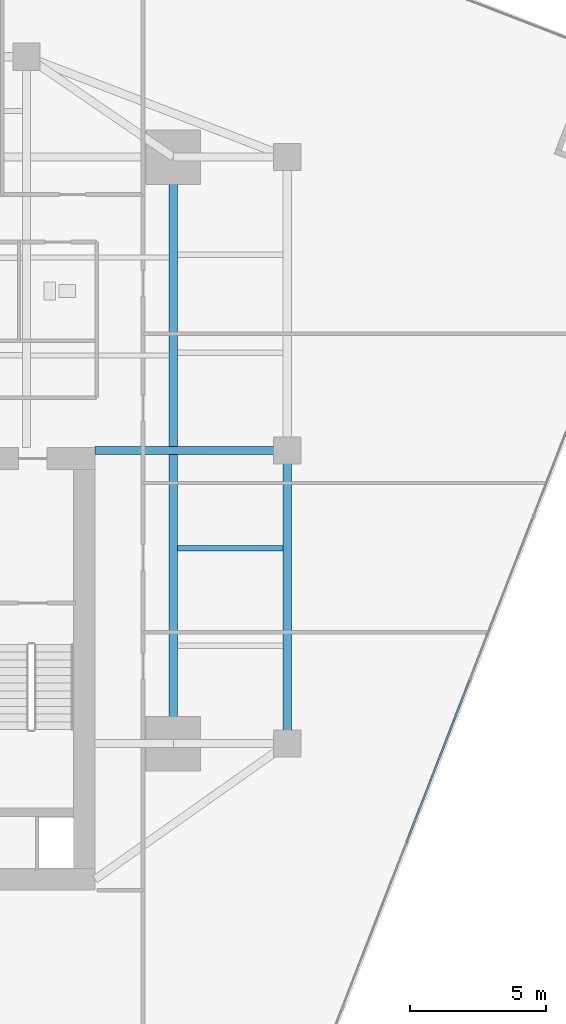
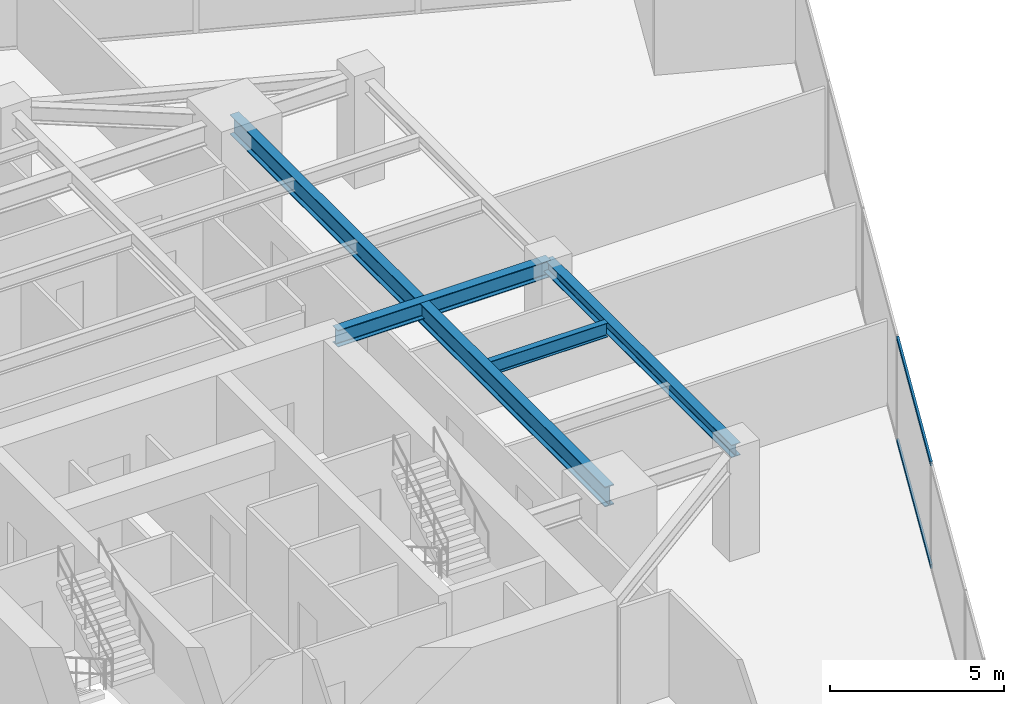
# One storey, part 11 of 26: 4 beams, 2 members, 1 element without a shape of its own.
"""IFC4 building model written with IfcOpenShell, lengths in metres."""

from ifc_helpers import new_model, si_unit, direction, frame, origin, origin_2d, place, context, subcontext, project, spatial, hollow_rectangle, i_section, extrude, source, transform, mapped, material, material_profile, profile_set, type_object, type_shapes, element, aggregate, save


model = new_model("IFC4")

# Units and contexts
model_context = context("Model", 3, precision=1e-05, world=origin(), true_north=direction((0.0, 1.0)))
body_context = subcontext(model_context, "Body", "Model", "MODEL_VIEW")
ifc_project = project(units=[si_unit("LENGTHUNIT", "METRE"), si_unit("AREAUNIT", "SQUARE_METRE"), si_unit("VOLUMEUNIT", "CUBIC_METRE"), si_unit("PLANEANGLEUNIT", "RADIAN"), si_unit("MASSUNIT", "GRAM", prefix="KILO")], contexts=[model_context])

# Site, building, storey
site_placement = place(None, origin())
site = spatial("IfcSite", under=ifc_project, at=site_placement, CompositionType="ELEMENT")
building_placement = place(site_placement, origin())
building = spatial("IfcBuilding", under=site, at=building_placement, Name="Krantzveldt Concourse Tower", CompositionType="ELEMENT")
storey_placement = place(building_placement, frame((0.0, 0.0, 133.5)))
storey = spatial("IfcBuildingStorey", under=building, at=storey_placement, Name="L32", CompositionType="ELEMENT", Elevation=133.5)

# Beams
ifc_material_1 = material(Name="Steel S355J2", Category="steel")
ifc_material_profile_1 = material_profile(ifc_material_1, i_section(OverallWidth=0.300048828125, OverallDepth=0.699951171875, WebThickness=0.01708984375, FlangeThickness=0.031982421875, FilletRadius=0.027099609375, at=origin_2d()), Name="Steel S355J2", Category="steel")
ifc_profile_set_1 = profile_set([ifc_material_profile_1], Name="Steel S355J2 - HEB 700")
beam_type_1 = type_object("IfcBeamType", Name="BM-B-HEB700", PredefinedType="BEAM", material=ifc_profile_set_1)
shared_shape_1 = source(origin(), body_context, "Body", "SweptSolid", [
    extrude(i_section(OverallWidth=0.300048828125, OverallDepth=0.699951171875, WebThickness=0.01708984375, FlangeThickness=0.031982421875, FilletRadius=0.027099609375, at=origin_2d()), origin(), (0.0, 0.0, 1.0), 21.60009765625),
])
type_shapes(beam_type_1, [shared_shape_1])
beam_1_placement = place(storey_placement, frame((46.800048828125, 15.89990234375, 3.320068359375), z_axis=(0.0, 1.0, 0.0), x_axis=(-1.0, 0.0, 0.0)))
element("IfcBeam", 1, at=beam_1_placement, inside=storey, type_object=beam_type_1, Name="L32 Tower Girder BG-ME", PredefinedType="BEAM", context=body_context, shape_type="MappedRepresentation", body=[
    mapped(shared_shape_1, transform((0.0, 0.0, 0.0), x_axis=(1.0, 0.0, 0.0), y_axis=(0.0, 1.0, 0.0), z_axis=(0.0, 0.0, 1.0), scale=1.0)),
])
ifc_material_2 = material(Name="Steel S355JR", Category="steel")
ifc_material_profile_2 = material_profile(ifc_material_2, i_section(OverallWidth=0.300048828125, OverallDepth=0.590087890625, WebThickness=0.012939453125, FlangeThickness=0.02490234375, FilletRadius=0.027099609375, at=origin_2d()), Name="Steel S355JR", Category="steel")
ifc_profile_set_2 = profile_set([ifc_material_profile_2], Name="Steel S355JR - HEA 600")
beam_type_2 = type_object("IfcBeamType", Name="BM-B-HEA600", PredefinedType="BEAM", material=ifc_profile_set_2)
shared_shape_2 = source(origin(), body_context, "Body", "SweptSolid", [
    extrude(i_section(OverallWidth=0.300048828125, OverallDepth=0.590087890625, WebThickness=0.012939453125, FlangeThickness=0.02490234375, FilletRadius=0.027099609375, at=origin_2d()), origin(), (0.0, 0.0, 1.0), 7.080078125),
])
type_shapes(beam_type_2, [shared_shape_2])
beam_2_placement = place(storey_placement, frame((43.919921875, 26.699951171875, 3.375), z_axis=(1.0, 0.0, 0.0), x_axis=(0.0, 1.0, 0.0)))
element("IfcBeam", 2, at=beam_2_placement, inside=storey, type_object=beam_type_2, Name="L32 Tower Girder BG-CE2", PredefinedType="BEAM", context=body_context, shape_type="MappedRepresentation", body=[
    mapped(shared_shape_2, transform((0.0, 0.0, 0.0), x_axis=(1.0, 0.0, 0.0), y_axis=(0.0, 1.0, 0.0), z_axis=(0.0, 0.0, 1.0), scale=1.0)),
])
ifc_material_profile_3 = material_profile(ifc_material_2, i_section(OverallWidth=0.300048828125, OverallDepth=0.43994140625, WebThickness=0.011474609375, FlangeThickness=0.02099609375, FilletRadius=0.027099609375, at=origin_2d()), Name="Steel S355JR", Category="steel")
ifc_profile_set_3 = profile_set([ifc_material_profile_3], Name="Steel S355JR - HEA 450")
beam_type_3 = type_object("IfcBeamType", Name="BM-SP-HEA450", PredefinedType="SPANDREL", material=ifc_profile_set_3)
shared_shape_3 = source(origin(), body_context, "Body", "SweptSolid", [
    extrude(i_section(OverallWidth=0.300048828125, OverallDepth=0.43994140625, WebThickness=0.011474609375, FlangeThickness=0.02099609375, FilletRadius=0.027099609375, at=origin_2d()), origin(), (0.0, 0.0, 1.0), 10.800048828125),
])
type_shapes(beam_type_3, [shared_shape_3])
beam_3_placement = place(storey_placement, frame((51.0, 26.699951171875, 3.449951171875), z_axis=(0.0, -1.0, 0.0), x_axis=(1.0, 0.0, 0.0)))
element("IfcBeam", 3, at=beam_3_placement, inside=storey, type_object=beam_type_3, Name="L32 Tower Girder SP-R07", PredefinedType="SPANDREL", context=body_context, shape_type="MappedRepresentation", body=[
    mapped(shared_shape_3, transform((0.0, 0.0, 0.0), x_axis=(1.0, 0.0, 0.0), y_axis=(0.0, 1.0, 0.0), z_axis=(0.0, 0.0, 1.0), scale=1.0)),
])
ifc_material_profile_4 = material_profile(ifc_material_2, i_section(OverallWidth=0.199951171875, OverallDepth=0.5, WebThickness=0.01025390625, FlangeThickness=0.01611328125, FilletRadius=0.02099609375, at=origin_2d()), Name="Steel S355JR", Category="steel")
ifc_profile_set_4 = profile_set([ifc_material_profile_4], Name="Steel S355JR - IPE 500")
beam_type_4 = type_object("IfcBeamType", Name="BM-J-IPE500", PredefinedType="JOIST", material=ifc_profile_set_4)
shared_shape_4 = source(origin(), body_context, "Body", "SweptSolid", [
    extrude(i_section(OverallWidth=0.199951171875, OverallDepth=0.5, WebThickness=0.01025390625, FlangeThickness=0.01611328125, FilletRadius=0.02099609375, at=origin_2d()), origin(), (0.0, 0.0, 1.0), 3.900146484375),
])
type_shapes(beam_type_4, [shared_shape_4])
beam_4_placement = place(storey_placement, frame((46.949951171875, 23.10009765625, 3.419921875), z_axis=(1.0, 0.0, 0.0), x_axis=(0.0, 1.0, 0.0)))
element("IfcBeam", 4, at=beam_4_placement, inside=storey, type_object=beam_type_4, Name="L32 Secondary Floor Joist JE-2", PredefinedType="JOIST", context=body_context, shape_type="MappedRepresentation", body=[
    mapped(shared_shape_4, transform((0.0, 0.0, 0.0), x_axis=(1.0, 0.0, 0.0), y_axis=(0.0, 1.0, 0.0), z_axis=(0.0, 0.0, 1.0), scale=1.0)),
])

# Curtain wall, members
ifc_material_3 = material(Name="Anodised aluminium 6063-T6", Category="aluminium")
curtain_wall_type = type_object("IfcCurtainWallType", Name="CW2", PredefinedType="USERDEFINED", material=ifc_material_3)
curtain_wall_placement = place(storey_placement, origin())
curtain_wall = element("IfcCurtainWall", 5, at=curtain_wall_placement, inside=storey, type_object=curtain_wall_type, Name="CW-L32-F11", ObjectType="UNITISED CURTAIN WALL", PredefinedType="USERDEFINED")
ifc_material_profile_5 = material_profile(ifc_material_3, hollow_rectangle(XDim=0.070068359375, YDim=0.139892578125, WallThickness=0.0048828125, at=origin_2d()), Name="Anodised aluminium 6063-T6", Category="aluminium")
ifc_profile_set_5 = profile_set([ifc_material_profile_5], Name="Anodised aluminium 6063-T6 - ALU-TRAN 140x70x5")
member_type = type_object("IfcMemberType", Name="CW-TRN-150", PredefinedType="USERDEFINED", material=ifc_profile_set_5)
shared_shape_5 = source(origin(), body_context, "Body", "SweptSolid", [
    extrude(hollow_rectangle(XDim=0.070068359375, YDim=0.139892578125, WallThickness=0.0048828125, at=origin_2d()), origin(), (0.0, 0.0, 1.0), 6.396484375),
])
type_shapes(member_type, [shared_shape_5])
member_1_placement = place(storey_placement, frame((55.39404296875, 12.25732421875, 0.034912109375), z_axis=(0.36243705186, 0.932008252882, 0.0), x_axis=(-0.932008252882, 0.36243705186, 0.0)))
member_1 = element("IfcMember", 6, at=member_1_placement, type_object=member_type, Name="CW-Z12 transom 3.1", ObjectType="TRANSOM", PredefinedType="USERDEFINED", context=body_context, shape_type="MappedRepresentation", body=[
    mapped(shared_shape_5, transform((0.0, 0.0, 0.0), x_axis=(1.0, 0.0, 0.0), y_axis=(0.0, 1.0, 0.0), z_axis=(0.0, 0.0, 1.0), scale=1.0)),
])
member_2_placement = place(storey_placement, frame((55.39404296875, 12.25732421875, 3.635009765625), z_axis=(0.36243705186, 0.932008252882, 0.0), x_axis=(-0.932008252882, 0.36243705186, 0.0)))
member_2 = element("IfcMember", 7, at=member_2_placement, type_object=member_type, Name="CW-Z12 transom 3.2", ObjectType="TRANSOM", PredefinedType="USERDEFINED", context=body_context, shape_type="MappedRepresentation", body=[
    mapped(shared_shape_5, transform((0.0, 0.0, 0.0), x_axis=(1.0, 0.0, 0.0), y_axis=(0.0, 1.0, 0.0), z_axis=(0.0, 0.0, 1.0), scale=1.0)),
])
aggregate(curtain_wall, [member_1, member_2])

save(model, "model.ifc")
